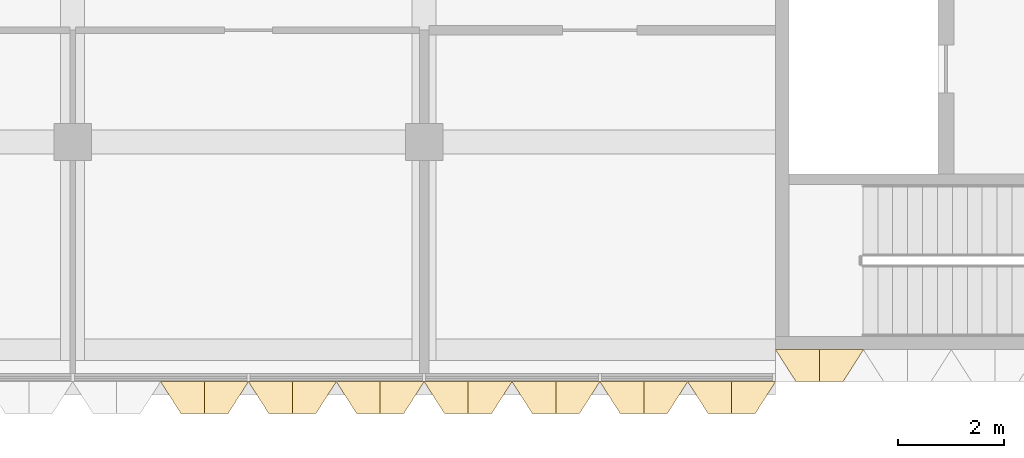
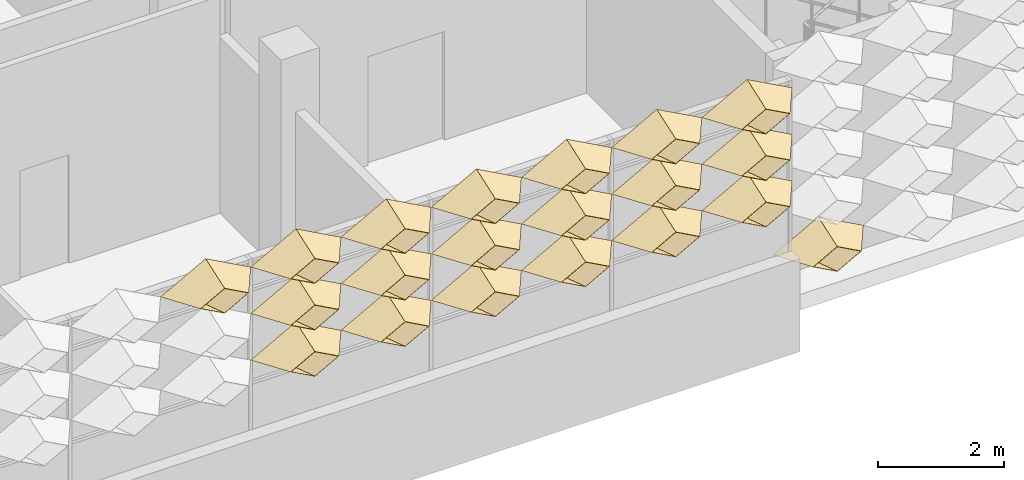
# One storey, part 45 of 85: 20 coverings.
"""IFC4 building model written with IfcOpenShell, lengths in metres."""

from ifc_helpers import new_model, entity, si_unit, direction, frame, origin, place, context, subcontext, project, spatial, material, layer, layer_set, type_object, element, save


model = new_model("IFC4")

# Units and contexts
model_context = context("Model", 3, precision=1e-05, world=origin(), true_north=direction((0.0, 1.0)))
body_context = subcontext(model_context, "Body", "Model", "MODEL_VIEW")
ifc_project = project(units=[si_unit("LENGTHUNIT", "METRE"), si_unit("AREAUNIT", "SQUARE_METRE"), si_unit("VOLUMEUNIT", "CUBIC_METRE"), si_unit("PLANEANGLEUNIT", "RADIAN"), si_unit("MASSUNIT", "GRAM", prefix="KILO")], contexts=[model_context])

# Site, building, storey
site_placement = place(None, origin())
site = spatial("IfcSite", under=ifc_project, at=site_placement, CompositionType="ELEMENT")
building_placement = place(site_placement, origin())
building = spatial("IfcBuilding", under=site, at=building_placement, Name="Lantern Court Research Institute", CompositionType="ELEMENT")
storey_placement = place(building_placement, frame((0.0, 0.0, 18.89990234375)))
storey = spatial("IfcBuildingStorey", under=building, at=storey_placement, Name="L04", CompositionType="ELEMENT", Elevation=18.89990234375)

# Coverings
ifc_material = material(Name="Anodised aluminium", Category="aluminium")
ifc_layer = layer(ifc_material, 0.01611328125)
ifc_layer_set = layer_set([ifc_layer], Name="Anodised aluminium")
covering_type = type_object("IfcCoveringType", Name="Fin cassette 1650 x 900 x 600 aluminium", PredefinedType="CLADDING", material=ifc_layer_set)
covering_1_placement = place(storey_placement, frame((43.72509765625, -8.39990234375, 2.25), z_axis=(0.0, -1.0, 0.0), x_axis=(1.0, 0.0, 0.0)))
cartesian_point_1 = entity("IfcCartesianPoint", [0.824951171875, 0.0])
cartesian_point_2 = entity("IfcCartesianPoint", [0.79150390625, 0.0])
cartesian_point_3 = entity("IfcCartesianPoint", [0.44189453125, 0.0])
cartesian_point_4 = entity("IfcCartesianPoint", [0.43359375, 0.0])
element("IfcCovering", 1, at=covering_1_placement, inside=storey, type_object=covering_type, Name="Fin cassette V4S-L04 3.27", PredefinedType="CLADDING", context=body_context, shape_type="SweptSolid", body=[
    entity("IfcExtrudedAreaSolidTapered", entity("IfcArbitraryProfileDefWithVoids", "AREA", None, entity("IfcPolyline", [cartesian_point_1, entity("IfcCartesianPoint", [0.0, 0.449951171875]), entity("IfcCartesianPoint", [-0.824951171875, 0.0]), entity("IfcCartesianPoint", [0.0, -0.449951171875]), cartesian_point_1]), [entity("IfcPolyline", [cartesian_point_2, entity("IfcCartesianPoint", [0.0, 0.431884765625]), entity("IfcCartesianPoint", [-0.79150390625, 0.0]), entity("IfcCartesianPoint", [0.0, -0.431884765625]), cartesian_point_2])]), entity("IfcAxis2Placement3D", entity("IfcCartesianPoint", [0.0, 0.0, 0.0])), entity("IfcDirection", [0.0, 0.0, 1.0]), 0.60009765625, entity("IfcArbitraryProfileDefWithVoids", "AREA", None, entity("IfcPolyline", [cartesian_point_3, entity("IfcCartesianPoint", [0.0, 0.240966796875]), entity("IfcCartesianPoint", [-0.44189453125, 0.0]), entity("IfcCartesianPoint", [0.0, -0.240966796875]), cartesian_point_3]), [entity("IfcPolyline", [cartesian_point_4, entity("IfcCartesianPoint", [0.0, 0.236572265625]), entity("IfcCartesianPoint", [-0.43359375, 0.0]), entity("IfcCartesianPoint", [0.0, -0.236572265625]), cartesian_point_4])])),
])
covering_2_placement = place(storey_placement, frame((45.375, -8.39990234375, 2.25), z_axis=(0.0, -1.0, 0.0), x_axis=(1.0, 0.0, 0.0)))
cartesian_point_5 = entity("IfcCartesianPoint", [0.824951171875, 0.0])
cartesian_point_6 = entity("IfcCartesianPoint", [0.79150390625, 0.0])
cartesian_point_7 = entity("IfcCartesianPoint", [0.44189453125, 0.0])
cartesian_point_8 = entity("IfcCartesianPoint", [0.43359375, 0.0])
element("IfcCovering", 2, at=covering_2_placement, inside=storey, type_object=covering_type, Name="Fin cassette V4S-L04 3.28", PredefinedType="CLADDING", context=body_context, shape_type="SweptSolid", body=[
    entity("IfcExtrudedAreaSolidTapered", entity("IfcArbitraryProfileDefWithVoids", "AREA", None, entity("IfcPolyline", [cartesian_point_5, entity("IfcCartesianPoint", [0.0, 0.449951171875]), entity("IfcCartesianPoint", [-0.824951171875, 0.0]), entity("IfcCartesianPoint", [0.0, -0.449951171875]), cartesian_point_5]), [entity("IfcPolyline", [cartesian_point_6, entity("IfcCartesianPoint", [0.0, 0.431884765625]), entity("IfcCartesianPoint", [-0.79150390625, 0.0]), entity("IfcCartesianPoint", [0.0, -0.431884765625]), cartesian_point_6])]), entity("IfcAxis2Placement3D", entity("IfcCartesianPoint", [0.0, 0.0, 0.0])), entity("IfcDirection", [0.0, 0.0, 1.0]), 0.60009765625, entity("IfcArbitraryProfileDefWithVoids", "AREA", None, entity("IfcPolyline", [cartesian_point_7, entity("IfcCartesianPoint", [0.0, 0.240966796875]), entity("IfcCartesianPoint", [-0.44189453125, 0.0]), entity("IfcCartesianPoint", [0.0, -0.240966796875]), cartesian_point_7]), [entity("IfcPolyline", [cartesian_point_8, entity("IfcCartesianPoint", [0.0, 0.236572265625]), entity("IfcCartesianPoint", [-0.43359375, 0.0]), entity("IfcCartesianPoint", [0.0, -0.236572265625]), cartesian_point_8])])),
])
covering_3_placement = place(storey_placement, frame((47.02490234375, -8.39990234375, 2.25), z_axis=(0.0, -1.0, 0.0), x_axis=(1.0, 0.0, 0.0)))
cartesian_point_9 = entity("IfcCartesianPoint", [0.824951171875, 0.0])
cartesian_point_10 = entity("IfcCartesianPoint", [0.79150390625, 0.0])
cartesian_point_11 = entity("IfcCartesianPoint", [0.44189453125, 0.0])
cartesian_point_12 = entity("IfcCartesianPoint", [0.43359375, 0.0])
element("IfcCovering", 3, at=covering_3_placement, inside=storey, type_object=covering_type, Name="Fin cassette V4S-L04 3.29", PredefinedType="CLADDING", context=body_context, shape_type="SweptSolid", body=[
    entity("IfcExtrudedAreaSolidTapered", entity("IfcArbitraryProfileDefWithVoids", "AREA", None, entity("IfcPolyline", [cartesian_point_9, entity("IfcCartesianPoint", [0.0, 0.449951171875]), entity("IfcCartesianPoint", [-0.824951171875, 0.0]), entity("IfcCartesianPoint", [0.0, -0.449951171875]), cartesian_point_9]), [entity("IfcPolyline", [cartesian_point_10, entity("IfcCartesianPoint", [0.0, 0.431884765625]), entity("IfcCartesianPoint", [-0.79150390625, 0.0]), entity("IfcCartesianPoint", [0.0, -0.431884765625]), cartesian_point_10])]), entity("IfcAxis2Placement3D", entity("IfcCartesianPoint", [0.0, 0.0, 0.0])), entity("IfcDirection", [0.0, 0.0, 1.0]), 0.60009765625, entity("IfcArbitraryProfileDefWithVoids", "AREA", None, entity("IfcPolyline", [cartesian_point_11, entity("IfcCartesianPoint", [0.0, 0.240966796875]), entity("IfcCartesianPoint", [-0.44189453125, 0.0]), entity("IfcCartesianPoint", [0.0, -0.240966796875]), cartesian_point_11]), [entity("IfcPolyline", [cartesian_point_12, entity("IfcCartesianPoint", [0.0, 0.236572265625]), entity("IfcCartesianPoint", [-0.43359375, 0.0]), entity("IfcCartesianPoint", [0.0, -0.236572265625]), cartesian_point_12])])),
])
covering_4_placement = place(storey_placement, frame((48.675048828125, -8.39990234375, 2.25), z_axis=(0.0, -1.0, 0.0), x_axis=(1.0, 0.0, 0.0)))
cartesian_point_13 = entity("IfcCartesianPoint", [0.824951171875, 0.0])
cartesian_point_14 = entity("IfcCartesianPoint", [0.79150390625, 0.0])
cartesian_point_15 = entity("IfcCartesianPoint", [0.44189453125, 0.0])
cartesian_point_16 = entity("IfcCartesianPoint", [0.43359375, 0.0])
element("IfcCovering", 4, at=covering_4_placement, inside=storey, type_object=covering_type, Name="Fin cassette V4S-L04 3.30", PredefinedType="CLADDING", context=body_context, shape_type="SweptSolid", body=[
    entity("IfcExtrudedAreaSolidTapered", entity("IfcArbitraryProfileDefWithVoids", "AREA", None, entity("IfcPolyline", [cartesian_point_13, entity("IfcCartesianPoint", [0.0, 0.449951171875]), entity("IfcCartesianPoint", [-0.824951171875, 0.0]), entity("IfcCartesianPoint", [0.0, -0.449951171875]), cartesian_point_13]), [entity("IfcPolyline", [cartesian_point_14, entity("IfcCartesianPoint", [0.0, 0.431884765625]), entity("IfcCartesianPoint", [-0.79150390625, 0.0]), entity("IfcCartesianPoint", [0.0, -0.431884765625]), cartesian_point_14])]), entity("IfcAxis2Placement3D", entity("IfcCartesianPoint", [0.0, 0.0, 0.0])), entity("IfcDirection", [0.0, 0.0, 1.0]), 0.60009765625, entity("IfcArbitraryProfileDefWithVoids", "AREA", None, entity("IfcPolyline", [cartesian_point_15, entity("IfcCartesianPoint", [0.0, 0.240966796875]), entity("IfcCartesianPoint", [-0.44189453125, 0.0]), entity("IfcCartesianPoint", [0.0, -0.240966796875]), cartesian_point_15]), [entity("IfcPolyline", [cartesian_point_16, entity("IfcCartesianPoint", [0.0, 0.236572265625]), entity("IfcCartesianPoint", [-0.43359375, 0.0]), entity("IfcCartesianPoint", [0.0, -0.236572265625]), cartesian_point_16])])),
])
covering_5_placement = place(storey_placement, frame((50.324951171875, -8.39990234375, 2.25), z_axis=(0.0, -1.0, 0.0), x_axis=(1.0, 0.0, 0.0)))
cartesian_point_17 = entity("IfcCartesianPoint", [0.824951171875, 0.0])
cartesian_point_18 = entity("IfcCartesianPoint", [0.79150390625, 0.0])
cartesian_point_19 = entity("IfcCartesianPoint", [0.44189453125, 0.0])
cartesian_point_20 = entity("IfcCartesianPoint", [0.43359375, 0.0])
element("IfcCovering", 5, at=covering_5_placement, inside=storey, type_object=covering_type, Name="Fin cassette V4S-L04 3.31", PredefinedType="CLADDING", context=body_context, shape_type="SweptSolid", body=[
    entity("IfcExtrudedAreaSolidTapered", entity("IfcArbitraryProfileDefWithVoids", "AREA", None, entity("IfcPolyline", [cartesian_point_17, entity("IfcCartesianPoint", [0.0, 0.449951171875]), entity("IfcCartesianPoint", [-0.824951171875, 0.0]), entity("IfcCartesianPoint", [0.0, -0.449951171875]), cartesian_point_17]), [entity("IfcPolyline", [cartesian_point_18, entity("IfcCartesianPoint", [0.0, 0.431884765625]), entity("IfcCartesianPoint", [-0.79150390625, 0.0]), entity("IfcCartesianPoint", [0.0, -0.431884765625]), cartesian_point_18])]), entity("IfcAxis2Placement3D", entity("IfcCartesianPoint", [0.0, 0.0, 0.0])), entity("IfcDirection", [0.0, 0.0, 1.0]), 0.60009765625, entity("IfcArbitraryProfileDefWithVoids", "AREA", None, entity("IfcPolyline", [cartesian_point_19, entity("IfcCartesianPoint", [0.0, 0.240966796875]), entity("IfcCartesianPoint", [-0.44189453125, 0.0]), entity("IfcCartesianPoint", [0.0, -0.240966796875]), cartesian_point_19]), [entity("IfcPolyline", [cartesian_point_20, entity("IfcCartesianPoint", [0.0, 0.236572265625]), entity("IfcCartesianPoint", [-0.43359375, 0.0]), entity("IfcCartesianPoint", [0.0, -0.236572265625]), cartesian_point_20])])),
])
covering_6_placement = place(storey_placement, frame((51.97509765625, -8.39990234375, 2.25), z_axis=(0.0, -1.0, 0.0), x_axis=(1.0, 0.0, 0.0)))
cartesian_point_21 = entity("IfcCartesianPoint", [0.824951171875, 0.0])
cartesian_point_22 = entity("IfcCartesianPoint", [0.79150390625, 0.0])
cartesian_point_23 = entity("IfcCartesianPoint", [0.44189453125, 0.0])
cartesian_point_24 = entity("IfcCartesianPoint", [0.43359375, 0.0])
element("IfcCovering", 6, at=covering_6_placement, inside=storey, type_object=covering_type, Name="Fin cassette V4S-L04 3.32", PredefinedType="CLADDING", context=body_context, shape_type="SweptSolid", body=[
    entity("IfcExtrudedAreaSolidTapered", entity("IfcArbitraryProfileDefWithVoids", "AREA", None, entity("IfcPolyline", [cartesian_point_21, entity("IfcCartesianPoint", [0.0, 0.449951171875]), entity("IfcCartesianPoint", [-0.824951171875, 0.0]), entity("IfcCartesianPoint", [0.0, -0.449951171875]), cartesian_point_21]), [entity("IfcPolyline", [cartesian_point_22, entity("IfcCartesianPoint", [0.0, 0.431884765625]), entity("IfcCartesianPoint", [-0.79150390625, 0.0]), entity("IfcCartesianPoint", [0.0, -0.431884765625]), cartesian_point_22])]), entity("IfcAxis2Placement3D", entity("IfcCartesianPoint", [0.0, 0.0, 0.0])), entity("IfcDirection", [0.0, 0.0, 1.0]), 0.60009765625, entity("IfcArbitraryProfileDefWithVoids", "AREA", None, entity("IfcPolyline", [cartesian_point_23, entity("IfcCartesianPoint", [0.0, 0.240966796875]), entity("IfcCartesianPoint", [-0.44189453125, 0.0]), entity("IfcCartesianPoint", [0.0, -0.240966796875]), cartesian_point_23]), [entity("IfcPolyline", [cartesian_point_24, entity("IfcCartesianPoint", [0.0, 0.236572265625]), entity("IfcCartesianPoint", [-0.43359375, 0.0]), entity("IfcCartesianPoint", [0.0, -0.236572265625]), cartesian_point_24])])),
])
covering_7_placement = place(storey_placement, frame((43.72509765625, -8.39990234375, 3.150146484375), z_axis=(0.0, -1.0, 0.0), x_axis=(1.0, 0.0, 0.0)))
cartesian_point_25 = entity("IfcCartesianPoint", [0.824951171875, 0.0])
cartesian_point_26 = entity("IfcCartesianPoint", [0.79150390625, 0.0])
cartesian_point_27 = entity("IfcCartesianPoint", [0.44189453125, 0.0])
cartesian_point_28 = entity("IfcCartesianPoint", [0.43359375, 0.0])
element("IfcCovering", 7, at=covering_7_placement, inside=storey, type_object=covering_type, Name="Fin cassette V4S-L04 4.27", PredefinedType="CLADDING", context=body_context, shape_type="SweptSolid", body=[
    entity("IfcExtrudedAreaSolidTapered", entity("IfcArbitraryProfileDefWithVoids", "AREA", None, entity("IfcPolyline", [cartesian_point_25, entity("IfcCartesianPoint", [0.0, 0.449951171875]), entity("IfcCartesianPoint", [-0.824951171875, 0.0]), entity("IfcCartesianPoint", [0.0, -0.449951171875]), cartesian_point_25]), [entity("IfcPolyline", [cartesian_point_26, entity("IfcCartesianPoint", [0.0, 0.431884765625]), entity("IfcCartesianPoint", [-0.79150390625, 0.0]), entity("IfcCartesianPoint", [0.0, -0.431884765625]), cartesian_point_26])]), entity("IfcAxis2Placement3D", entity("IfcCartesianPoint", [0.0, 0.0, 0.0])), entity("IfcDirection", [0.0, 0.0, 1.0]), 0.60009765625, entity("IfcArbitraryProfileDefWithVoids", "AREA", None, entity("IfcPolyline", [cartesian_point_27, entity("IfcCartesianPoint", [0.0, 0.240966796875]), entity("IfcCartesianPoint", [-0.44189453125, 0.0]), entity("IfcCartesianPoint", [0.0, -0.240966796875]), cartesian_point_27]), [entity("IfcPolyline", [cartesian_point_28, entity("IfcCartesianPoint", [0.0, 0.236572265625]), entity("IfcCartesianPoint", [-0.43359375, 0.0]), entity("IfcCartesianPoint", [0.0, -0.236572265625]), cartesian_point_28])])),
])
covering_8_placement = place(storey_placement, frame((45.375, -8.39990234375, 3.150146484375), z_axis=(0.0, -1.0, 0.0), x_axis=(1.0, 0.0, 0.0)))
cartesian_point_29 = entity("IfcCartesianPoint", [0.824951171875, 0.0])
cartesian_point_30 = entity("IfcCartesianPoint", [0.79150390625, 0.0])
cartesian_point_31 = entity("IfcCartesianPoint", [0.44189453125, 0.0])
cartesian_point_32 = entity("IfcCartesianPoint", [0.43359375, 0.0])
element("IfcCovering", 8, at=covering_8_placement, inside=storey, type_object=covering_type, Name="Fin cassette V4S-L04 4.28", PredefinedType="CLADDING", context=body_context, shape_type="SweptSolid", body=[
    entity("IfcExtrudedAreaSolidTapered", entity("IfcArbitraryProfileDefWithVoids", "AREA", None, entity("IfcPolyline", [cartesian_point_29, entity("IfcCartesianPoint", [0.0, 0.449951171875]), entity("IfcCartesianPoint", [-0.824951171875, 0.0]), entity("IfcCartesianPoint", [0.0, -0.449951171875]), cartesian_point_29]), [entity("IfcPolyline", [cartesian_point_30, entity("IfcCartesianPoint", [0.0, 0.431884765625]), entity("IfcCartesianPoint", [-0.79150390625, 0.0]), entity("IfcCartesianPoint", [0.0, -0.431884765625]), cartesian_point_30])]), entity("IfcAxis2Placement3D", entity("IfcCartesianPoint", [0.0, 0.0, 0.0])), entity("IfcDirection", [0.0, 0.0, 1.0]), 0.60009765625, entity("IfcArbitraryProfileDefWithVoids", "AREA", None, entity("IfcPolyline", [cartesian_point_31, entity("IfcCartesianPoint", [0.0, 0.240966796875]), entity("IfcCartesianPoint", [-0.44189453125, 0.0]), entity("IfcCartesianPoint", [0.0, -0.240966796875]), cartesian_point_31]), [entity("IfcPolyline", [cartesian_point_32, entity("IfcCartesianPoint", [0.0, 0.236572265625]), entity("IfcCartesianPoint", [-0.43359375, 0.0]), entity("IfcCartesianPoint", [0.0, -0.236572265625]), cartesian_point_32])])),
])
covering_9_placement = place(storey_placement, frame((47.02490234375, -8.39990234375, 3.150146484375), z_axis=(0.0, -1.0, 0.0), x_axis=(1.0, 0.0, 0.0)))
cartesian_point_33 = entity("IfcCartesianPoint", [0.824951171875, 0.0])
cartesian_point_34 = entity("IfcCartesianPoint", [0.79150390625, 0.0])
cartesian_point_35 = entity("IfcCartesianPoint", [0.44189453125, 0.0])
cartesian_point_36 = entity("IfcCartesianPoint", [0.43359375, 0.0])
element("IfcCovering", 9, at=covering_9_placement, inside=storey, type_object=covering_type, Name="Fin cassette V4S-L04 4.29", PredefinedType="CLADDING", context=body_context, shape_type="SweptSolid", body=[
    entity("IfcExtrudedAreaSolidTapered", entity("IfcArbitraryProfileDefWithVoids", "AREA", None, entity("IfcPolyline", [cartesian_point_33, entity("IfcCartesianPoint", [0.0, 0.449951171875]), entity("IfcCartesianPoint", [-0.824951171875, 0.0]), entity("IfcCartesianPoint", [0.0, -0.449951171875]), cartesian_point_33]), [entity("IfcPolyline", [cartesian_point_34, entity("IfcCartesianPoint", [0.0, 0.431884765625]), entity("IfcCartesianPoint", [-0.79150390625, 0.0]), entity("IfcCartesianPoint", [0.0, -0.431884765625]), cartesian_point_34])]), entity("IfcAxis2Placement3D", entity("IfcCartesianPoint", [0.0, 0.0, 0.0])), entity("IfcDirection", [0.0, 0.0, 1.0]), 0.60009765625, entity("IfcArbitraryProfileDefWithVoids", "AREA", None, entity("IfcPolyline", [cartesian_point_35, entity("IfcCartesianPoint", [0.0, 0.240966796875]), entity("IfcCartesianPoint", [-0.44189453125, 0.0]), entity("IfcCartesianPoint", [0.0, -0.240966796875]), cartesian_point_35]), [entity("IfcPolyline", [cartesian_point_36, entity("IfcCartesianPoint", [0.0, 0.236572265625]), entity("IfcCartesianPoint", [-0.43359375, 0.0]), entity("IfcCartesianPoint", [0.0, -0.236572265625]), cartesian_point_36])])),
])
covering_10_placement = place(storey_placement, frame((48.675048828125, -8.39990234375, 3.150146484375), z_axis=(0.0, -1.0, 0.0), x_axis=(1.0, 0.0, 0.0)))
cartesian_point_37 = entity("IfcCartesianPoint", [0.824951171875, 0.0])
cartesian_point_38 = entity("IfcCartesianPoint", [0.79150390625, 0.0])
cartesian_point_39 = entity("IfcCartesianPoint", [0.44189453125, 0.0])
cartesian_point_40 = entity("IfcCartesianPoint", [0.43359375, 0.0])
element("IfcCovering", 10, at=covering_10_placement, inside=storey, type_object=covering_type, Name="Fin cassette V4S-L04 4.30", PredefinedType="CLADDING", context=body_context, shape_type="SweptSolid", body=[
    entity("IfcExtrudedAreaSolidTapered", entity("IfcArbitraryProfileDefWithVoids", "AREA", None, entity("IfcPolyline", [cartesian_point_37, entity("IfcCartesianPoint", [0.0, 0.449951171875]), entity("IfcCartesianPoint", [-0.824951171875, 0.0]), entity("IfcCartesianPoint", [0.0, -0.449951171875]), cartesian_point_37]), [entity("IfcPolyline", [cartesian_point_38, entity("IfcCartesianPoint", [0.0, 0.431884765625]), entity("IfcCartesianPoint", [-0.79150390625, 0.0]), entity("IfcCartesianPoint", [0.0, -0.431884765625]), cartesian_point_38])]), entity("IfcAxis2Placement3D", entity("IfcCartesianPoint", [0.0, 0.0, 0.0])), entity("IfcDirection", [0.0, 0.0, 1.0]), 0.60009765625, entity("IfcArbitraryProfileDefWithVoids", "AREA", None, entity("IfcPolyline", [cartesian_point_39, entity("IfcCartesianPoint", [0.0, 0.240966796875]), entity("IfcCartesianPoint", [-0.44189453125, 0.0]), entity("IfcCartesianPoint", [0.0, -0.240966796875]), cartesian_point_39]), [entity("IfcPolyline", [cartesian_point_40, entity("IfcCartesianPoint", [0.0, 0.236572265625]), entity("IfcCartesianPoint", [-0.43359375, 0.0]), entity("IfcCartesianPoint", [0.0, -0.236572265625]), cartesian_point_40])])),
])
covering_11_placement = place(storey_placement, frame((50.324951171875, -8.39990234375, 3.150146484375), z_axis=(0.0, -1.0, 0.0), x_axis=(1.0, 0.0, 0.0)))
cartesian_point_41 = entity("IfcCartesianPoint", [0.824951171875, 0.0])
cartesian_point_42 = entity("IfcCartesianPoint", [0.79150390625, 0.0])
cartesian_point_43 = entity("IfcCartesianPoint", [0.44189453125, 0.0])
cartesian_point_44 = entity("IfcCartesianPoint", [0.43359375, 0.0])
element("IfcCovering", 11, at=covering_11_placement, inside=storey, type_object=covering_type, Name="Fin cassette V4S-L04 4.31", PredefinedType="CLADDING", context=body_context, shape_type="SweptSolid", body=[
    entity("IfcExtrudedAreaSolidTapered", entity("IfcArbitraryProfileDefWithVoids", "AREA", None, entity("IfcPolyline", [cartesian_point_41, entity("IfcCartesianPoint", [0.0, 0.449951171875]), entity("IfcCartesianPoint", [-0.824951171875, 0.0]), entity("IfcCartesianPoint", [0.0, -0.449951171875]), cartesian_point_41]), [entity("IfcPolyline", [cartesian_point_42, entity("IfcCartesianPoint", [0.0, 0.431884765625]), entity("IfcCartesianPoint", [-0.79150390625, 0.0]), entity("IfcCartesianPoint", [0.0, -0.431884765625]), cartesian_point_42])]), entity("IfcAxis2Placement3D", entity("IfcCartesianPoint", [0.0, 0.0, 0.0])), entity("IfcDirection", [0.0, 0.0, 1.0]), 0.60009765625, entity("IfcArbitraryProfileDefWithVoids", "AREA", None, entity("IfcPolyline", [cartesian_point_43, entity("IfcCartesianPoint", [0.0, 0.240966796875]), entity("IfcCartesianPoint", [-0.44189453125, 0.0]), entity("IfcCartesianPoint", [0.0, -0.240966796875]), cartesian_point_43]), [entity("IfcPolyline", [cartesian_point_44, entity("IfcCartesianPoint", [0.0, 0.236572265625]), entity("IfcCartesianPoint", [-0.43359375, 0.0]), entity("IfcCartesianPoint", [0.0, -0.236572265625]), cartesian_point_44])])),
])
covering_12_placement = place(storey_placement, frame((51.97509765625, -8.39990234375, 3.150146484375), z_axis=(0.0, -1.0, 0.0), x_axis=(1.0, 0.0, 0.0)))
cartesian_point_45 = entity("IfcCartesianPoint", [0.824951171875, 0.0])
cartesian_point_46 = entity("IfcCartesianPoint", [0.79150390625, 0.0])
cartesian_point_47 = entity("IfcCartesianPoint", [0.44189453125, 0.0])
cartesian_point_48 = entity("IfcCartesianPoint", [0.43359375, 0.0])
element("IfcCovering", 12, at=covering_12_placement, inside=storey, type_object=covering_type, Name="Fin cassette V4S-L04 4.32", PredefinedType="CLADDING", context=body_context, shape_type="SweptSolid", body=[
    entity("IfcExtrudedAreaSolidTapered", entity("IfcArbitraryProfileDefWithVoids", "AREA", None, entity("IfcPolyline", [cartesian_point_45, entity("IfcCartesianPoint", [0.0, 0.449951171875]), entity("IfcCartesianPoint", [-0.824951171875, 0.0]), entity("IfcCartesianPoint", [0.0, -0.449951171875]), cartesian_point_45]), [entity("IfcPolyline", [cartesian_point_46, entity("IfcCartesianPoint", [0.0, 0.431884765625]), entity("IfcCartesianPoint", [-0.79150390625, 0.0]), entity("IfcCartesianPoint", [0.0, -0.431884765625]), cartesian_point_46])]), entity("IfcAxis2Placement3D", entity("IfcCartesianPoint", [0.0, 0.0, 0.0])), entity("IfcDirection", [0.0, 0.0, 1.0]), 0.60009765625, entity("IfcArbitraryProfileDefWithVoids", "AREA", None, entity("IfcPolyline", [cartesian_point_47, entity("IfcCartesianPoint", [0.0, 0.240966796875]), entity("IfcCartesianPoint", [-0.44189453125, 0.0]), entity("IfcCartesianPoint", [0.0, -0.240966796875]), cartesian_point_47]), [entity("IfcPolyline", [cartesian_point_48, entity("IfcCartesianPoint", [0.0, 0.236572265625]), entity("IfcCartesianPoint", [-0.43359375, 0.0]), entity("IfcCartesianPoint", [0.0, -0.236572265625]), cartesian_point_48])])),
])
covering_13_placement = place(storey_placement, frame((42.074951171875, -8.39990234375, 4.050048828125), z_axis=(0.0, -1.0, 0.0), x_axis=(1.0, 0.0, 0.0)))
cartesian_point_49 = entity("IfcCartesianPoint", [0.824951171875, 0.0])
cartesian_point_50 = entity("IfcCartesianPoint", [0.79150390625, 0.0])
cartesian_point_51 = entity("IfcCartesianPoint", [0.44189453125, 0.0])
cartesian_point_52 = entity("IfcCartesianPoint", [0.43359375, 0.0])
element("IfcCovering", 13, at=covering_13_placement, inside=storey, type_object=covering_type, Name="Fin cassette V4S-L04 5.26", PredefinedType="CLADDING", context=body_context, shape_type="SweptSolid", body=[
    entity("IfcExtrudedAreaSolidTapered", entity("IfcArbitraryProfileDefWithVoids", "AREA", None, entity("IfcPolyline", [cartesian_point_49, entity("IfcCartesianPoint", [0.0, 0.449951171875]), entity("IfcCartesianPoint", [-0.824951171875, 0.0]), entity("IfcCartesianPoint", [0.0, -0.449951171875]), cartesian_point_49]), [entity("IfcPolyline", [cartesian_point_50, entity("IfcCartesianPoint", [0.0, 0.431884765625]), entity("IfcCartesianPoint", [-0.79150390625, 0.0]), entity("IfcCartesianPoint", [0.0, -0.431884765625]), cartesian_point_50])]), entity("IfcAxis2Placement3D", entity("IfcCartesianPoint", [0.0, 0.0, 0.0])), entity("IfcDirection", [0.0, 0.0, 1.0]), 0.60009765625, entity("IfcArbitraryProfileDefWithVoids", "AREA", None, entity("IfcPolyline", [cartesian_point_51, entity("IfcCartesianPoint", [0.0, 0.240966796875]), entity("IfcCartesianPoint", [-0.44189453125, 0.0]), entity("IfcCartesianPoint", [0.0, -0.240966796875]), cartesian_point_51]), [entity("IfcPolyline", [cartesian_point_52, entity("IfcCartesianPoint", [0.0, 0.236572265625]), entity("IfcCartesianPoint", [-0.43359375, 0.0]), entity("IfcCartesianPoint", [0.0, -0.236572265625]), cartesian_point_52])])),
])
covering_14_placement = place(storey_placement, frame((43.72509765625, -8.39990234375, 4.050048828125), z_axis=(0.0, -1.0, 0.0), x_axis=(1.0, 0.0, 0.0)))
cartesian_point_53 = entity("IfcCartesianPoint", [0.824951171875, 0.0])
cartesian_point_54 = entity("IfcCartesianPoint", [0.79150390625, 0.0])
cartesian_point_55 = entity("IfcCartesianPoint", [0.44189453125, 0.0])
cartesian_point_56 = entity("IfcCartesianPoint", [0.43359375, 0.0])
element("IfcCovering", 14, at=covering_14_placement, inside=storey, type_object=covering_type, Name="Fin cassette V4S-L04 5.27", PredefinedType="CLADDING", context=body_context, shape_type="SweptSolid", body=[
    entity("IfcExtrudedAreaSolidTapered", entity("IfcArbitraryProfileDefWithVoids", "AREA", None, entity("IfcPolyline", [cartesian_point_53, entity("IfcCartesianPoint", [0.0, 0.449951171875]), entity("IfcCartesianPoint", [-0.824951171875, 0.0]), entity("IfcCartesianPoint", [0.0, -0.449951171875]), cartesian_point_53]), [entity("IfcPolyline", [cartesian_point_54, entity("IfcCartesianPoint", [0.0, 0.431884765625]), entity("IfcCartesianPoint", [-0.79150390625, 0.0]), entity("IfcCartesianPoint", [0.0, -0.431884765625]), cartesian_point_54])]), entity("IfcAxis2Placement3D", entity("IfcCartesianPoint", [0.0, 0.0, 0.0])), entity("IfcDirection", [0.0, 0.0, 1.0]), 0.60009765625, entity("IfcArbitraryProfileDefWithVoids", "AREA", None, entity("IfcPolyline", [cartesian_point_55, entity("IfcCartesianPoint", [0.0, 0.240966796875]), entity("IfcCartesianPoint", [-0.44189453125, 0.0]), entity("IfcCartesianPoint", [0.0, -0.240966796875]), cartesian_point_55]), [entity("IfcPolyline", [cartesian_point_56, entity("IfcCartesianPoint", [0.0, 0.236572265625]), entity("IfcCartesianPoint", [-0.43359375, 0.0]), entity("IfcCartesianPoint", [0.0, -0.236572265625]), cartesian_point_56])])),
])
covering_15_placement = place(storey_placement, frame((45.375, -8.39990234375, 4.050048828125), z_axis=(0.0, -1.0, 0.0), x_axis=(1.0, 0.0, 0.0)))
cartesian_point_57 = entity("IfcCartesianPoint", [0.824951171875, 0.0])
cartesian_point_58 = entity("IfcCartesianPoint", [0.79150390625, 0.0])
cartesian_point_59 = entity("IfcCartesianPoint", [0.44189453125, 0.0])
cartesian_point_60 = entity("IfcCartesianPoint", [0.43359375, 0.0])
element("IfcCovering", 15, at=covering_15_placement, inside=storey, type_object=covering_type, Name="Fin cassette V4S-L04 5.28", PredefinedType="CLADDING", context=body_context, shape_type="SweptSolid", body=[
    entity("IfcExtrudedAreaSolidTapered", entity("IfcArbitraryProfileDefWithVoids", "AREA", None, entity("IfcPolyline", [cartesian_point_57, entity("IfcCartesianPoint", [0.0, 0.449951171875]), entity("IfcCartesianPoint", [-0.824951171875, 0.0]), entity("IfcCartesianPoint", [0.0, -0.449951171875]), cartesian_point_57]), [entity("IfcPolyline", [cartesian_point_58, entity("IfcCartesianPoint", [0.0, 0.431884765625]), entity("IfcCartesianPoint", [-0.79150390625, 0.0]), entity("IfcCartesianPoint", [0.0, -0.431884765625]), cartesian_point_58])]), entity("IfcAxis2Placement3D", entity("IfcCartesianPoint", [0.0, 0.0, 0.0])), entity("IfcDirection", [0.0, 0.0, 1.0]), 0.60009765625, entity("IfcArbitraryProfileDefWithVoids", "AREA", None, entity("IfcPolyline", [cartesian_point_59, entity("IfcCartesianPoint", [0.0, 0.240966796875]), entity("IfcCartesianPoint", [-0.44189453125, 0.0]), entity("IfcCartesianPoint", [0.0, -0.240966796875]), cartesian_point_59]), [entity("IfcPolyline", [cartesian_point_60, entity("IfcCartesianPoint", [0.0, 0.236572265625]), entity("IfcCartesianPoint", [-0.43359375, 0.0]), entity("IfcCartesianPoint", [0.0, -0.236572265625]), cartesian_point_60])])),
])
covering_16_placement = place(storey_placement, frame((47.02490234375, -8.39990234375, 4.050048828125), z_axis=(0.0, -1.0, 0.0), x_axis=(1.0, 0.0, 0.0)))
cartesian_point_61 = entity("IfcCartesianPoint", [0.824951171875, 0.0])
cartesian_point_62 = entity("IfcCartesianPoint", [0.79150390625, 0.0])
cartesian_point_63 = entity("IfcCartesianPoint", [0.44189453125, 0.0])
cartesian_point_64 = entity("IfcCartesianPoint", [0.43359375, 0.0])
element("IfcCovering", 16, at=covering_16_placement, inside=storey, type_object=covering_type, Name="Fin cassette V4S-L04 5.29", PredefinedType="CLADDING", context=body_context, shape_type="SweptSolid", body=[
    entity("IfcExtrudedAreaSolidTapered", entity("IfcArbitraryProfileDefWithVoids", "AREA", None, entity("IfcPolyline", [cartesian_point_61, entity("IfcCartesianPoint", [0.0, 0.449951171875]), entity("IfcCartesianPoint", [-0.824951171875, 0.0]), entity("IfcCartesianPoint", [0.0, -0.449951171875]), cartesian_point_61]), [entity("IfcPolyline", [cartesian_point_62, entity("IfcCartesianPoint", [0.0, 0.431884765625]), entity("IfcCartesianPoint", [-0.79150390625, 0.0]), entity("IfcCartesianPoint", [0.0, -0.431884765625]), cartesian_point_62])]), entity("IfcAxis2Placement3D", entity("IfcCartesianPoint", [0.0, 0.0, 0.0])), entity("IfcDirection", [0.0, 0.0, 1.0]), 0.60009765625, entity("IfcArbitraryProfileDefWithVoids", "AREA", None, entity("IfcPolyline", [cartesian_point_63, entity("IfcCartesianPoint", [0.0, 0.240966796875]), entity("IfcCartesianPoint", [-0.44189453125, 0.0]), entity("IfcCartesianPoint", [0.0, -0.240966796875]), cartesian_point_63]), [entity("IfcPolyline", [cartesian_point_64, entity("IfcCartesianPoint", [0.0, 0.236572265625]), entity("IfcCartesianPoint", [-0.43359375, 0.0]), entity("IfcCartesianPoint", [0.0, -0.236572265625]), cartesian_point_64])])),
])
covering_17_placement = place(storey_placement, frame((48.675048828125, -8.39990234375, 4.050048828125), z_axis=(0.0, -1.0, 0.0), x_axis=(1.0, 0.0, 0.0)))
cartesian_point_65 = entity("IfcCartesianPoint", [0.824951171875, 0.0])
cartesian_point_66 = entity("IfcCartesianPoint", [0.79150390625, 0.0])
cartesian_point_67 = entity("IfcCartesianPoint", [0.44189453125, 0.0])
cartesian_point_68 = entity("IfcCartesianPoint", [0.43359375, 0.0])
element("IfcCovering", 17, at=covering_17_placement, inside=storey, type_object=covering_type, Name="Fin cassette V4S-L04 5.30", PredefinedType="CLADDING", context=body_context, shape_type="SweptSolid", body=[
    entity("IfcExtrudedAreaSolidTapered", entity("IfcArbitraryProfileDefWithVoids", "AREA", None, entity("IfcPolyline", [cartesian_point_65, entity("IfcCartesianPoint", [0.0, 0.449951171875]), entity("IfcCartesianPoint", [-0.824951171875, 0.0]), entity("IfcCartesianPoint", [0.0, -0.449951171875]), cartesian_point_65]), [entity("IfcPolyline", [cartesian_point_66, entity("IfcCartesianPoint", [0.0, 0.431884765625]), entity("IfcCartesianPoint", [-0.79150390625, 0.0]), entity("IfcCartesianPoint", [0.0, -0.431884765625]), cartesian_point_66])]), entity("IfcAxis2Placement3D", entity("IfcCartesianPoint", [0.0, 0.0, 0.0])), entity("IfcDirection", [0.0, 0.0, 1.0]), 0.60009765625, entity("IfcArbitraryProfileDefWithVoids", "AREA", None, entity("IfcPolyline", [cartesian_point_67, entity("IfcCartesianPoint", [0.0, 0.240966796875]), entity("IfcCartesianPoint", [-0.44189453125, 0.0]), entity("IfcCartesianPoint", [0.0, -0.240966796875]), cartesian_point_67]), [entity("IfcPolyline", [cartesian_point_68, entity("IfcCartesianPoint", [0.0, 0.236572265625]), entity("IfcCartesianPoint", [-0.43359375, 0.0]), entity("IfcCartesianPoint", [0.0, -0.236572265625]), cartesian_point_68])])),
])
covering_18_placement = place(storey_placement, frame((50.324951171875, -8.39990234375, 4.050048828125), z_axis=(0.0, -1.0, 0.0), x_axis=(1.0, 0.0, 0.0)))
cartesian_point_69 = entity("IfcCartesianPoint", [0.824951171875, 0.0])
cartesian_point_70 = entity("IfcCartesianPoint", [0.79150390625, 0.0])
cartesian_point_71 = entity("IfcCartesianPoint", [0.44189453125, 0.0])
cartesian_point_72 = entity("IfcCartesianPoint", [0.43359375, 0.0])
element("IfcCovering", 18, at=covering_18_placement, inside=storey, type_object=covering_type, Name="Fin cassette V4S-L04 5.31", PredefinedType="CLADDING", context=body_context, shape_type="SweptSolid", body=[
    entity("IfcExtrudedAreaSolidTapered", entity("IfcArbitraryProfileDefWithVoids", "AREA", None, entity("IfcPolyline", [cartesian_point_69, entity("IfcCartesianPoint", [0.0, 0.449951171875]), entity("IfcCartesianPoint", [-0.824951171875, 0.0]), entity("IfcCartesianPoint", [0.0, -0.449951171875]), cartesian_point_69]), [entity("IfcPolyline", [cartesian_point_70, entity("IfcCartesianPoint", [0.0, 0.431884765625]), entity("IfcCartesianPoint", [-0.79150390625, 0.0]), entity("IfcCartesianPoint", [0.0, -0.431884765625]), cartesian_point_70])]), entity("IfcAxis2Placement3D", entity("IfcCartesianPoint", [0.0, 0.0, 0.0])), entity("IfcDirection", [0.0, 0.0, 1.0]), 0.60009765625, entity("IfcArbitraryProfileDefWithVoids", "AREA", None, entity("IfcPolyline", [cartesian_point_71, entity("IfcCartesianPoint", [0.0, 0.240966796875]), entity("IfcCartesianPoint", [-0.44189453125, 0.0]), entity("IfcCartesianPoint", [0.0, -0.240966796875]), cartesian_point_71]), [entity("IfcPolyline", [cartesian_point_72, entity("IfcCartesianPoint", [0.0, 0.236572265625]), entity("IfcCartesianPoint", [-0.43359375, 0.0]), entity("IfcCartesianPoint", [0.0, -0.236572265625]), cartesian_point_72])])),
])
covering_19_placement = place(storey_placement, frame((51.97509765625, -8.39990234375, 4.050048828125), z_axis=(0.0, -1.0, 0.0), x_axis=(1.0, 0.0, 0.0)))
cartesian_point_73 = entity("IfcCartesianPoint", [0.824951171875, 0.0])
cartesian_point_74 = entity("IfcCartesianPoint", [0.79150390625, 0.0])
cartesian_point_75 = entity("IfcCartesianPoint", [0.44189453125, 0.0])
cartesian_point_76 = entity("IfcCartesianPoint", [0.43359375, 0.0])
element("IfcCovering", 19, at=covering_19_placement, inside=storey, type_object=covering_type, Name="Fin cassette V4S-L04 5.32", PredefinedType="CLADDING", context=body_context, shape_type="SweptSolid", body=[
    entity("IfcExtrudedAreaSolidTapered", entity("IfcArbitraryProfileDefWithVoids", "AREA", None, entity("IfcPolyline", [cartesian_point_73, entity("IfcCartesianPoint", [0.0, 0.449951171875]), entity("IfcCartesianPoint", [-0.824951171875, 0.0]), entity("IfcCartesianPoint", [0.0, -0.449951171875]), cartesian_point_73]), [entity("IfcPolyline", [cartesian_point_74, entity("IfcCartesianPoint", [0.0, 0.431884765625]), entity("IfcCartesianPoint", [-0.79150390625, 0.0]), entity("IfcCartesianPoint", [0.0, -0.431884765625]), cartesian_point_74])]), entity("IfcAxis2Placement3D", entity("IfcCartesianPoint", [0.0, 0.0, 0.0])), entity("IfcDirection", [0.0, 0.0, 1.0]), 0.60009765625, entity("IfcArbitraryProfileDefWithVoids", "AREA", None, entity("IfcPolyline", [cartesian_point_75, entity("IfcCartesianPoint", [0.0, 0.240966796875]), entity("IfcCartesianPoint", [-0.44189453125, 0.0]), entity("IfcCartesianPoint", [0.0, -0.240966796875]), cartesian_point_75]), [entity("IfcPolyline", [cartesian_point_76, entity("IfcCartesianPoint", [0.0, 0.236572265625]), entity("IfcCartesianPoint", [-0.43359375, 0.0]), entity("IfcCartesianPoint", [0.0, -0.236572265625]), cartesian_point_76])])),
])
covering_20_placement = place(storey_placement, frame((53.625, -7.800048828125, 0.4501953125), z_axis=(0.0, -1.0, 0.0), x_axis=(1.0, 0.0, 0.0)))
cartesian_point_77 = entity("IfcCartesianPoint", [0.824951171875, 0.0])
cartesian_point_78 = entity("IfcCartesianPoint", [0.79150390625, 0.0])
cartesian_point_79 = entity("IfcCartesianPoint", [0.44189453125, 0.0])
cartesian_point_80 = entity("IfcCartesianPoint", [0.43359375, 0.0])
element("IfcCovering", 20, at=covering_20_placement, inside=storey, type_object=covering_type, Name="Fin cassette V5S-L04 1.33", PredefinedType="CLADDING", context=body_context, shape_type="SweptSolid", body=[
    entity("IfcExtrudedAreaSolidTapered", entity("IfcArbitraryProfileDefWithVoids", "AREA", None, entity("IfcPolyline", [cartesian_point_77, entity("IfcCartesianPoint", [0.0, 0.449951171875]), entity("IfcCartesianPoint", [-0.824951171875, 0.0]), entity("IfcCartesianPoint", [0.0, -0.449951171875]), cartesian_point_77]), [entity("IfcPolyline", [cartesian_point_78, entity("IfcCartesianPoint", [0.0, 0.431884765625]), entity("IfcCartesianPoint", [-0.79150390625, 0.0]), entity("IfcCartesianPoint", [0.0, -0.431884765625]), cartesian_point_78])]), entity("IfcAxis2Placement3D", entity("IfcCartesianPoint", [0.0, 0.0, 0.0])), entity("IfcDirection", [0.0, 0.0, 1.0]), 0.60009765625, entity("IfcArbitraryProfileDefWithVoids", "AREA", None, entity("IfcPolyline", [cartesian_point_79, entity("IfcCartesianPoint", [0.0, 0.240966796875]), entity("IfcCartesianPoint", [-0.44189453125, 0.0]), entity("IfcCartesianPoint", [0.0, -0.240966796875]), cartesian_point_79]), [entity("IfcPolyline", [cartesian_point_80, entity("IfcCartesianPoint", [0.0, 0.236572265625]), entity("IfcCartesianPoint", [-0.43359375, 0.0]), entity("IfcCartesianPoint", [0.0, -0.236572265625]), cartesian_point_80])])),
])

save(model, "model.ifc")
